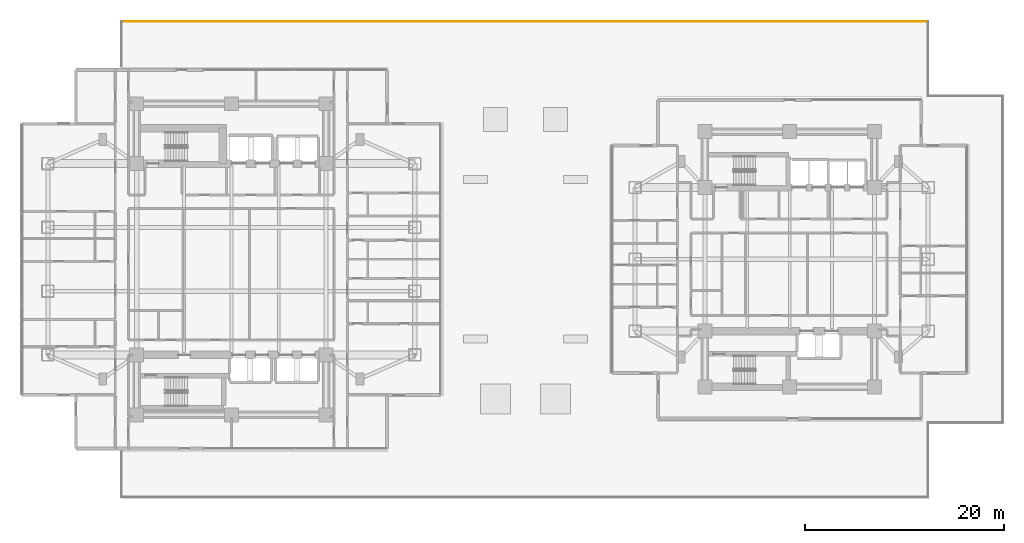
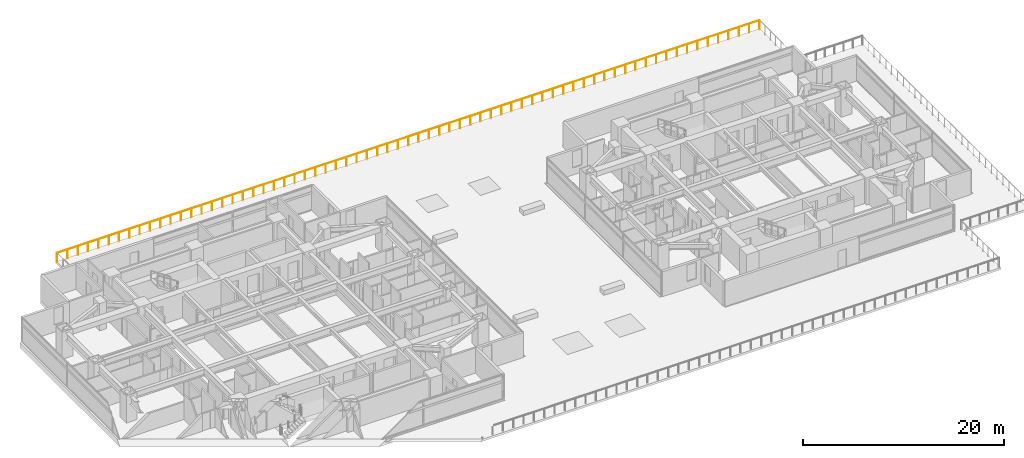
# One storey, part 23 of 26: 1 railing.
"""IFC4 building model written with IfcOpenShell, lengths in metres."""

from ifc_helpers import new_model, si_unit, direction, frame, origin, origin_2d, place, context, subcontext, project, spatial, circle, extrude, material, type_object, element, save


model = new_model("IFC4")

# Units and contexts
model_context = context("Model", 3, precision=1e-05, world=origin(), true_north=direction((0.0, 1.0)))
body_context = subcontext(model_context, "Body", "Model", "MODEL_VIEW")
ifc_project = project(units=[si_unit("LENGTHUNIT", "METRE"), si_unit("AREAUNIT", "SQUARE_METRE"), si_unit("VOLUMEUNIT", "CUBIC_METRE"), si_unit("PLANEANGLEUNIT", "RADIAN"), si_unit("MASSUNIT", "GRAM", prefix="KILO")], contexts=[model_context])

# Site, building, storey
site_placement = place(None, origin())
site = spatial("IfcSite", under=ifc_project, at=site_placement, CompositionType="ELEMENT")
building_placement = place(site_placement, origin())
building = spatial("IfcBuilding", under=site, at=building_placement, Name="Mirazonda Arch Towers", CompositionType="ELEMENT")
storey_placement = place(building_placement, frame((0.0, 0.0, 22.39990234375)))
storey = spatial("IfcBuildingStorey", under=building, at=storey_placement, Name="L05", CompositionType="ELEMENT", Elevation=22.39990234375)

# Railing
ifc_material = material(Name="Architectural Brushed Steel S355", Category="steel")
railing_type = type_object("IfcRailingType", Name="GUARD-EXT-1150", PredefinedType="GUARDRAIL", material=ifc_material)
railing_placement = place(storey_placement, frame((90.360107421875, 51.860107421875, 0.0)))
element("IfcRailing", 1, at=railing_placement, inside=storey, type_object=railing_type, Name="L05 Podium Roof Terrace Perimeter Guard 08", PredefinedType="GUARDRAIL", context=body_context, shape_type="SweptSolid", body=[
    extrude(circle(Radius=0.02392578125, at=origin_2d()), frame((0.0, 0.0, 1.1259765625), z_axis=(-1.0, 0.0, 0.0), x_axis=(0.0, -1.0, 0.0)), (0.0, 0.0, 1.0), 80.860107421875),
    extrude(circle(Radius=0.02099609375, at=origin_2d()), origin(), (0.0, 0.0, 1.0), 1.101806640625),
    extrude(circle(Radius=0.02099609375, at=origin_2d()), frame((-1.189208984375, 0.0, 0.0)), (0.0, 0.0, 1.0), 1.101806640625),
    extrude(circle(Radius=0.02099609375, at=origin_2d()), frame((-2.378173828125, 0.0, 0.0)), (0.0, 0.0, 1.0), 1.101806640625),
    extrude(circle(Radius=0.02099609375, at=origin_2d()), frame((-3.5673828125, 0.0, 0.0)), (0.0, 0.0, 1.0), 1.101806640625),
    extrude(circle(Radius=0.02099609375, at=origin_2d()), frame((-4.756591796875, 0.0, 0.0)), (0.0, 0.0, 1.0), 1.101806640625),
    extrude(circle(Radius=0.02099609375, at=origin_2d()), frame((-5.945556640625, 0.0, 0.0)), (0.0, 0.0, 1.0), 1.101806640625),
    extrude(circle(Radius=0.02099609375, at=origin_2d()), frame((-7.134765625, 0.0, 0.0)), (0.0, 0.0, 1.0), 1.101806640625),
    extrude(circle(Radius=0.02099609375, at=origin_2d()), frame((-8.32373046875, 0.0, 0.0)), (0.0, 0.0, 1.0), 1.101806640625),
    extrude(circle(Radius=0.02099609375, at=origin_2d()), frame((-9.512939453125, 0.0, 0.0)), (0.0, 0.0, 1.0), 1.101806640625),
    extrude(circle(Radius=0.02099609375, at=origin_2d()), frame((-10.7021484375, 0.0, 0.0)), (0.0, 0.0, 1.0), 1.101806640625),
    extrude(circle(Radius=0.02099609375, at=origin_2d()), frame((-11.89111328125, 0.0, 0.0)), (0.0, 0.0, 1.0), 1.101806640625),
    extrude(circle(Radius=0.02099609375, at=origin_2d()), frame((-13.080322265625, 0.0, 0.0)), (0.0, 0.0, 1.0), 1.101806640625),
    extrude(circle(Radius=0.02099609375, at=origin_2d()), frame((-14.26953125, 0.0, 0.0)), (0.0, 0.0, 1.0), 1.101806640625),
    extrude(circle(Radius=0.02099609375, at=origin_2d()), frame((-15.45849609375, 0.0, 0.0)), (0.0, 0.0, 1.0), 1.101806640625),
    extrude(circle(Radius=0.02099609375, at=origin_2d()), frame((-16.647705078125, 0.0, 0.0)), (0.0, 0.0, 1.0), 1.101806640625),
    extrude(circle(Radius=0.02099609375, at=origin_2d()), frame((-17.836669921875, 0.0, 0.0)), (0.0, 0.0, 1.0), 1.101806640625),
    extrude(circle(Radius=0.02099609375, at=origin_2d()), frame((-19.02587890625, 0.0, 0.0)), (0.0, 0.0, 1.0), 1.101806640625),
    extrude(circle(Radius=0.02099609375, at=origin_2d()), frame((-20.215087890625, 0.0, 0.0)), (0.0, 0.0, 1.0), 1.101806640625),
    extrude(circle(Radius=0.02099609375, at=origin_2d()), frame((-21.404052734375, 0.0, 0.0)), (0.0, 0.0, 1.0), 1.101806640625),
    extrude(circle(Radius=0.02099609375, at=origin_2d()), frame((-22.59326171875, 0.0, 0.0)), (0.0, 0.0, 1.0), 1.101806640625),
    extrude(circle(Radius=0.02099609375, at=origin_2d()), frame((-23.782470703125, 0.0, 0.0)), (0.0, 0.0, 1.0), 1.101806640625),
    extrude(circle(Radius=0.02099609375, at=origin_2d()), frame((-24.971435546875, 0.0, 0.0)), (0.0, 0.0, 1.0), 1.101806640625),
    extrude(circle(Radius=0.02099609375, at=origin_2d()), frame((-26.16064453125, 0.0, 0.0)), (0.0, 0.0, 1.0), 1.101806640625),
    extrude(circle(Radius=0.02099609375, at=origin_2d()), frame((-27.349853515625, 0.0, 0.0)), (0.0, 0.0, 1.0), 1.101806640625),
    extrude(circle(Radius=0.02099609375, at=origin_2d()), frame((-28.538818359375, 0.0, 0.0)), (0.0, 0.0, 1.0), 1.101806640625),
    extrude(circle(Radius=0.02099609375, at=origin_2d()), frame((-29.72802734375, 0.0, 0.0)), (0.0, 0.0, 1.0), 1.101806640625),
    extrude(circle(Radius=0.02099609375, at=origin_2d()), frame((-30.9169921875, 0.0, 0.0)), (0.0, 0.0, 1.0), 1.101806640625),
    extrude(circle(Radius=0.02099609375, at=origin_2d()), frame((-32.106201171875, 0.0, 0.0)), (0.0, 0.0, 1.0), 1.101806640625),
    extrude(circle(Radius=0.02099609375, at=origin_2d()), frame((-33.29541015625, 0.0, 0.0)), (0.0, 0.0, 1.0), 1.101806640625),
    extrude(circle(Radius=0.02099609375, at=origin_2d()), frame((-34.484375, 0.0, 0.0)), (0.0, 0.0, 1.0), 1.101806640625),
    extrude(circle(Radius=0.02099609375, at=origin_2d()), frame((-35.673583984375, 0.0, 0.0)), (0.0, 0.0, 1.0), 1.101806640625),
    extrude(circle(Radius=0.02099609375, at=origin_2d()), frame((-36.86279296875, 0.0, 0.0)), (0.0, 0.0, 1.0), 1.101806640625),
    extrude(circle(Radius=0.02099609375, at=origin_2d()), frame((-38.0517578125, 0.0, 0.0)), (0.0, 0.0, 1.0), 1.101806640625),
    extrude(circle(Radius=0.02099609375, at=origin_2d()), frame((-39.240966796875, 0.0, 0.0)), (0.0, 0.0, 1.0), 1.101806640625),
    extrude(circle(Radius=0.02099609375, at=origin_2d()), frame((-40.43017578125, 0.0, 0.0)), (0.0, 0.0, 1.0), 1.101806640625),
    extrude(circle(Radius=0.02099609375, at=origin_2d()), frame((-41.619140625, 0.0, 0.0)), (0.0, 0.0, 1.0), 1.101806640625),
    extrude(circle(Radius=0.02099609375, at=origin_2d()), frame((-42.808349609375, 0.0, 0.0)), (0.0, 0.0, 1.0), 1.101806640625),
    extrude(circle(Radius=0.02099609375, at=origin_2d()), frame((-43.997314453125, 0.0, 0.0)), (0.0, 0.0, 1.0), 1.101806640625),
    extrude(circle(Radius=0.02099609375, at=origin_2d()), frame((-45.1865234375, 0.0, 0.0)), (0.0, 0.0, 1.0), 1.101806640625),
    extrude(circle(Radius=0.02099609375, at=origin_2d()), frame((-46.375732421875, 0.0, 0.0)), (0.0, 0.0, 1.0), 1.101806640625),
    extrude(circle(Radius=0.02099609375, at=origin_2d()), frame((-47.564697265625, 0.0, 0.0)), (0.0, 0.0, 1.0), 1.101806640625),
    extrude(circle(Radius=0.02099609375, at=origin_2d()), frame((-48.75390625, 0.0, 0.0)), (0.0, 0.0, 1.0), 1.101806640625),
    extrude(circle(Radius=0.02099609375, at=origin_2d()), frame((-49.943115234375, 0.0, 0.0)), (0.0, 0.0, 1.0), 1.101806640625),
    extrude(circle(Radius=0.02099609375, at=origin_2d()), frame((-51.132080078125, 0.0, 0.0)), (0.0, 0.0, 1.0), 1.101806640625),
    extrude(circle(Radius=0.02099609375, at=origin_2d()), frame((-52.3212890625, 0.0, 0.0)), (0.0, 0.0, 1.0), 1.101806640625),
    extrude(circle(Radius=0.02099609375, at=origin_2d()), frame((-53.51025390625, 0.0, 0.0)), (0.0, 0.0, 1.0), 1.101806640625),
    extrude(circle(Radius=0.02099609375, at=origin_2d()), frame((-54.699462890625, 0.0, 0.0)), (0.0, 0.0, 1.0), 1.101806640625),
    extrude(circle(Radius=0.02099609375, at=origin_2d()), frame((-55.888671875, 0.0, 0.0)), (0.0, 0.0, 1.0), 1.101806640625),
    extrude(circle(Radius=0.02099609375, at=origin_2d()), frame((-57.07763671875, 0.0, 0.0)), (0.0, 0.0, 1.0), 1.101806640625),
    extrude(circle(Radius=0.02099609375, at=origin_2d()), frame((-58.266845703125, 0.0, 0.0)), (0.0, 0.0, 1.0), 1.101806640625),
    extrude(circle(Radius=0.02099609375, at=origin_2d()), frame((-59.4560546875, 0.0, 0.0)), (0.0, 0.0, 1.0), 1.101806640625),
    extrude(circle(Radius=0.02099609375, at=origin_2d()), frame((-60.64501953125, 0.0, 0.0)), (0.0, 0.0, 1.0), 1.101806640625),
    extrude(circle(Radius=0.02099609375, at=origin_2d()), frame((-61.834228515625, 0.0, 0.0)), (0.0, 0.0, 1.0), 1.101806640625),
    extrude(circle(Radius=0.02099609375, at=origin_2d()), frame((-63.0234375, 0.0, 0.0)), (0.0, 0.0, 1.0), 1.101806640625),
    extrude(circle(Radius=0.02099609375, at=origin_2d()), frame((-64.21240234375, 0.0, 0.0)), (0.0, 0.0, 1.0), 1.101806640625),
    extrude(circle(Radius=0.02099609375, at=origin_2d()), frame((-65.401611328125, 0.0, 0.0)), (0.0, 0.0, 1.0), 1.101806640625),
    extrude(circle(Radius=0.02099609375, at=origin_2d()), frame((-66.590576171875, 0.0, 0.0)), (0.0, 0.0, 1.0), 1.101806640625),
    extrude(circle(Radius=0.02099609375, at=origin_2d()), frame((-67.77978515625, 0.0, 0.0)), (0.0, 0.0, 1.0), 1.101806640625),
    extrude(circle(Radius=0.02099609375, at=origin_2d()), frame((-68.968994140625, 0.0, 0.0)), (0.0, 0.0, 1.0), 1.101806640625),
    extrude(circle(Radius=0.02099609375, at=origin_2d()), frame((-70.157958984375, 0.0, 0.0)), (0.0, 0.0, 1.0), 1.101806640625),
    extrude(circle(Radius=0.02099609375, at=origin_2d()), frame((-71.34716796875, 0.0, 0.0)), (0.0, 0.0, 1.0), 1.101806640625),
    extrude(circle(Radius=0.02099609375, at=origin_2d()), frame((-72.536376953125, 0.0, 0.0)), (0.0, 0.0, 1.0), 1.101806640625),
    extrude(circle(Radius=0.02099609375, at=origin_2d()), frame((-73.725341796875, 0.0, 0.0)), (0.0, 0.0, 1.0), 1.101806640625),
    extrude(circle(Radius=0.02099609375, at=origin_2d()), frame((-74.91455078125, 0.0, 0.0)), (0.0, 0.0, 1.0), 1.101806640625),
    extrude(circle(Radius=0.02099609375, at=origin_2d()), frame((-76.103515625, 0.0, 0.0)), (0.0, 0.0, 1.0), 1.101806640625),
    extrude(circle(Radius=0.02099609375, at=origin_2d()), frame((-77.292724609375, 0.0, 0.0)), (0.0, 0.0, 1.0), 1.101806640625),
    extrude(circle(Radius=0.02099609375, at=origin_2d()), frame((-78.48193359375, 0.0, 0.0)), (0.0, 0.0, 1.0), 1.101806640625),
    extrude(circle(Radius=0.02099609375, at=origin_2d()), frame((-79.6708984375, 0.0, 0.0)), (0.0, 0.0, 1.0), 1.101806640625),
    extrude(circle(Radius=0.02099609375, at=origin_2d()), frame((-80.860107421875, 0.0, 0.0)), (0.0, 0.0, 1.0), 1.101806640625),
])

save(model, "model.ifc")
